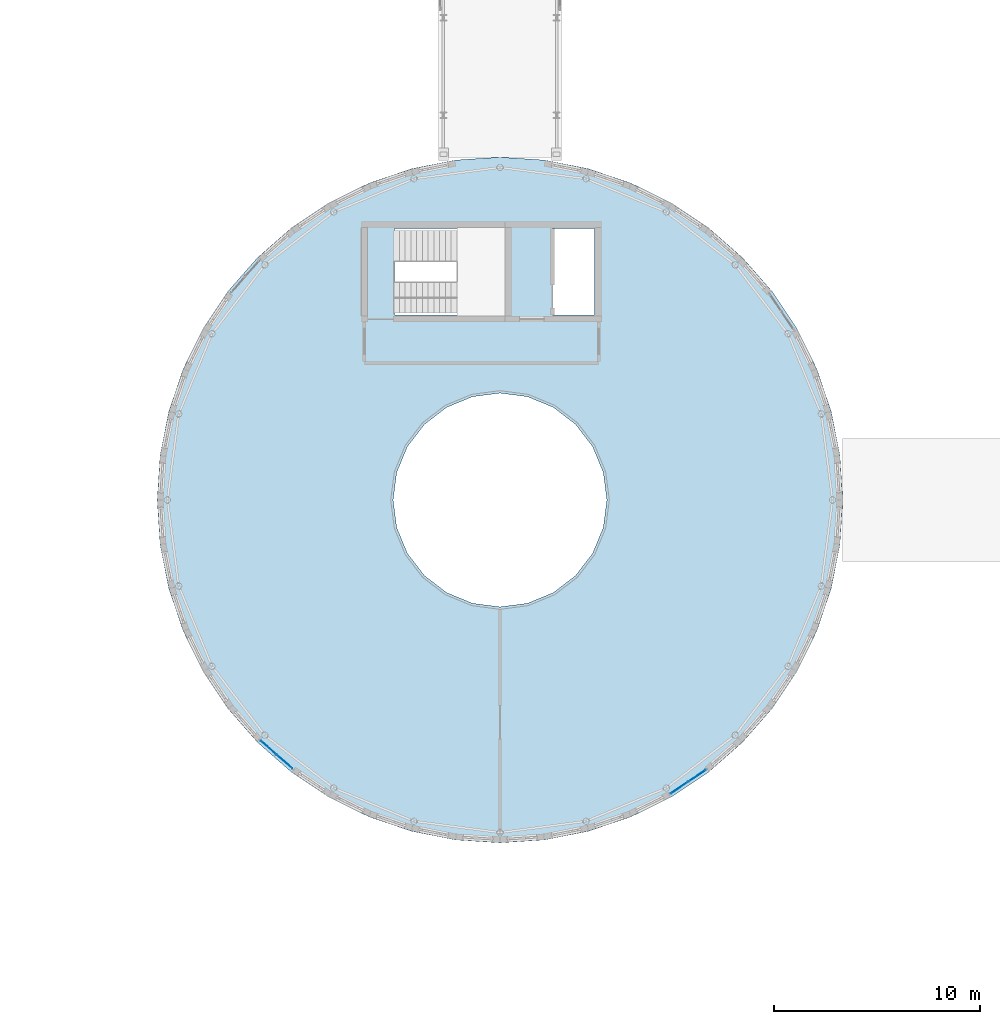
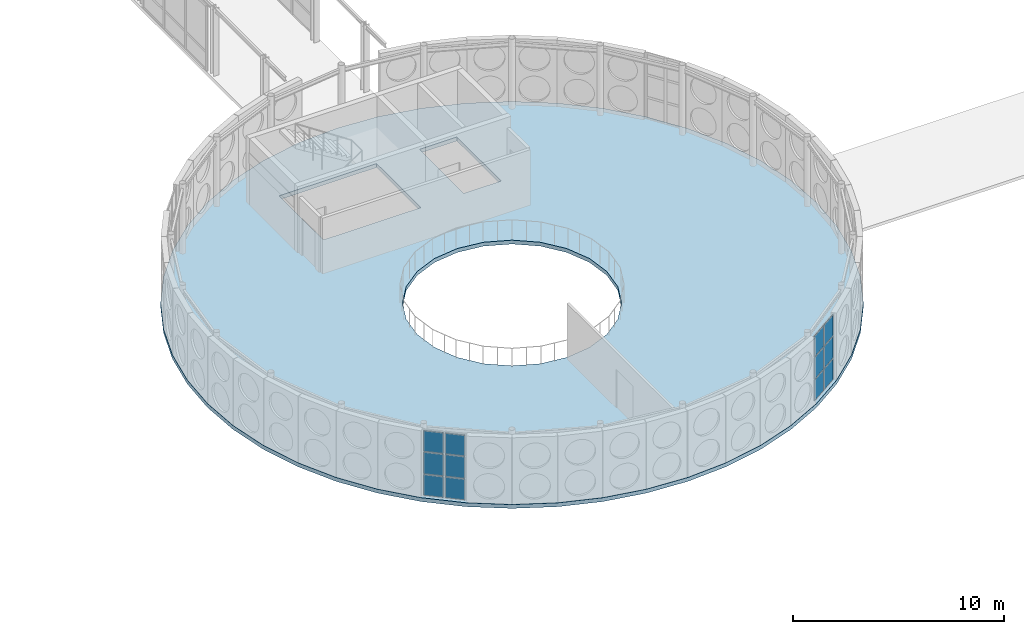
# One storey, part 140 of 189: 12 plates, 1 slab, 2 elements without a shape of their own.
"""IFC4 building model written with IfcOpenShell, lengths in metres."""

from ifc_helpers import new_model, si_unit, direction, frame, origin, origin_2d, place, context, subcontext, project, spatial, polyline, rectangle, outline, extrude, material, layer, layer_set, type_object, element, aggregate, save


model = new_model("IFC4")

# Units and contexts
model_context = context("Model", 3, precision=1e-05, world=origin(), true_north=direction((0.0, 1.0)))
body_context = subcontext(model_context, "Body", "Model", "MODEL_VIEW")
ifc_project = project(units=[si_unit("LENGTHUNIT", "METRE"), si_unit("AREAUNIT", "SQUARE_METRE"), si_unit("VOLUMEUNIT", "CUBIC_METRE"), si_unit("PLANEANGLEUNIT", "RADIAN"), si_unit("MASSUNIT", "GRAM", prefix="KILO")], contexts=[model_context])

# Site, building, storey
site_placement = place(None, origin())
site = spatial("IfcSite", under=ifc_project, at=site_placement, CompositionType="ELEMENT")
building_placement = place(site_placement, origin())
building = spatial("IfcBuilding", under=site, at=building_placement, Name="Montecoro Central Library", CompositionType="ELEMENT")
storey_placement = place(building_placement, frame((0.0, 0.0, 9.179931640625)))
storey = spatial("IfcBuildingStorey", under=building, at=storey_placement, Name="L02", CompositionType="ELEMENT", Elevation=9.179931640625)

# Curtain wall, plates
ifc_material_1 = material(Name="Bronze-anodised aluminium and low-E glazing", Category="aluminium")
ifc_layer_1 = layer(ifc_material_1, 0.159912109375)
ifc_layer_set_1 = layer_set([ifc_layer_1], Name="Bronze-anodised aluminium and low-E glazing")
curtain_wall_type = type_object("IfcCurtainWallType", Name="CWT-004", PredefinedType="NOTDEFINED", material=ifc_layer_set_1)
curtain_wall_1_placement = place(storey_placement, origin())
curtain_wall_1 = element("IfcCurtainWall", 1, at=curtain_wall_1_placement, inside=storey, type_object=curtain_wall_type, Name="V1-L02-CW-31", PredefinedType="NOTDEFINED")
ifc_material_2 = material(Name="Laminated low-E double glazing", Category="glass")
ifc_layer_2 = layer(ifc_material_2, 0.030029296875)
ifc_layer_set_2 = layer_set([ifc_layer_2], Name="Laminated low-E double glazing")
plate_type = type_object("IfcPlateType", Name="CWP-GLZ-02", PredefinedType="CURTAIN_PANEL", material=ifc_layer_set_2)
plate_1_placement = place(storey_placement, frame((80.33935546875, 23.350341796875, 0.06005859375), z_axis=(0.0, 0.0, 1.0), x_axis=(0.751536059457, -0.659692012485, 0.0)))
plate_1 = element("IfcPlate", 2, at=plate_1_placement, type_object=plate_type, Name="CW-004 panel 1.1", PredefinedType="CURTAIN_PANEL", context=body_context, shape_type="SweptSolid", body=[
    extrude(rectangle(XDim=0.982421875, YDim=0.030029296875, at=origin_2d()), origin(), (0.0, 0.0, 1.0), 1.18994140625),
])
plate_2_placement = place(storey_placement, frame((80.33935546875, 23.350341796875, 1.31005859375), z_axis=(0.0, 0.0, 1.0), x_axis=(0.751536059457, -0.659692012485, 0.0)))
plate_2 = element("IfcPlate", 3, at=plate_2_placement, type_object=plate_type, Name="CW-004 panel 1.2", PredefinedType="CURTAIN_PANEL", context=body_context, shape_type="SweptSolid", body=[
    extrude(rectangle(XDim=0.982421875, YDim=0.030029296875, at=origin_2d()), origin(), (0.0, 0.0, 1.0), 1.239990234375),
])
plate_3_placement = place(storey_placement, frame((80.33935546875, 23.350341796875, 2.610107421875), z_axis=(0.0, 0.0, 1.0), x_axis=(0.751536059457, -0.659692012485, 0.0)))
plate_3 = element("IfcPlate", 4, at=plate_3_placement, type_object=plate_type, Name="CW-004 panel 1.3", PredefinedType="CURTAIN_PANEL", context=body_context, shape_type="SweptSolid", body=[
    extrude(rectangle(XDim=0.982421875, YDim=0.030029296875, at=origin_2d()), origin(), (0.0, 0.0, 1.0), 1.18505859375),
])
plate_4_placement = place(storey_placement, frame((81.122802734375, 22.66259765625, 0.06005859375), z_axis=(0.0, 0.0, 1.0), x_axis=(0.751536059457, -0.659692012485, 0.0)))
plate_4 = element("IfcPlate", 5, at=plate_4_placement, type_object=plate_type, Name="CW-004 panel 2.1", PredefinedType="CURTAIN_PANEL", context=body_context, shape_type="SweptSolid", body=[
    extrude(rectangle(XDim=0.982421875, YDim=0.030029296875, at=origin_2d()), origin(), (0.0, 0.0, 1.0), 1.18994140625),
])
plate_5_placement = place(storey_placement, frame((81.122802734375, 22.66259765625, 1.31005859375), z_axis=(0.0, 0.0, 1.0), x_axis=(0.751536059457, -0.659692012485, 0.0)))
plate_5 = element("IfcPlate", 6, at=plate_5_placement, type_object=plate_type, Name="CW-004 panel 2.2", PredefinedType="CURTAIN_PANEL", context=body_context, shape_type="SweptSolid", body=[
    extrude(rectangle(XDim=0.982421875, YDim=0.030029296875, at=origin_2d()), origin(), (0.0, 0.0, 1.0), 1.239990234375),
])
plate_6_placement = place(storey_placement, frame((81.122802734375, 22.66259765625, 2.610107421875), z_axis=(0.0, 0.0, 1.0), x_axis=(0.751536059457, -0.659692012485, 0.0)))
plate_6 = element("IfcPlate", 7, at=plate_6_placement, type_object=plate_type, Name="CW-004 panel 2.3", PredefinedType="CURTAIN_PANEL", context=body_context, shape_type="SweptSolid", body=[
    extrude(rectangle(XDim=0.982421875, YDim=0.030029296875, at=origin_2d()), origin(), (0.0, 0.0, 1.0), 1.18505859375),
])
aggregate(curtain_wall_1, [plate_1, plate_2, plate_3, plate_4, plate_5, plate_6])

curtain_wall_2_placement = place(storey_placement, origin())
curtain_wall_2 = element("IfcCurtainWall", 8, at=curtain_wall_2_placement, inside=storey, type_object=curtain_wall_type, Name="V1-L02-CW-41", PredefinedType="NOTDEFINED")
plate_7_placement = place(storey_placement, frame((100.3251953125, 21.403564453125, 0.06005859375), z_axis=(0.0, 0.0, 1.0), x_axis=(0.831116851291, 0.556097814687, 0.0)))
plate_7 = element("IfcPlate", 9, at=plate_7_placement, type_object=plate_type, Name="CW-004 panel 1.1", PredefinedType="CURTAIN_PANEL", context=body_context, shape_type="SweptSolid", body=[
    extrude(rectangle(XDim=0.982666015625, YDim=0.030029296875, at=origin_2d()), origin(), (0.0, 0.0, 1.0), 1.18994140625),
])
plate_8_placement = place(storey_placement, frame((100.3251953125, 21.403564453125, 1.31005859375), z_axis=(0.0, 0.0, 1.0), x_axis=(0.831116851291, 0.556097814687, 0.0)))
plate_8 = element("IfcPlate", 10, at=plate_8_placement, type_object=plate_type, Name="CW-004 panel 1.2", PredefinedType="CURTAIN_PANEL", context=body_context, shape_type="SweptSolid", body=[
    extrude(rectangle(XDim=0.982666015625, YDim=0.030029296875, at=origin_2d()), origin(), (0.0, 0.0, 1.0), 1.239990234375),
])
plate_9_placement = place(storey_placement, frame((100.3251953125, 21.403564453125, 2.610107421875), z_axis=(0.0, 0.0, 1.0), x_axis=(0.831116851291, 0.556097814687, 0.0)))
plate_9 = element("IfcPlate", 11, at=plate_9_placement, type_object=plate_type, Name="CW-004 panel 1.3", PredefinedType="CURTAIN_PANEL", context=body_context, shape_type="SweptSolid", body=[
    extrude(rectangle(XDim=0.982666015625, YDim=0.030029296875, at=origin_2d()), origin(), (0.0, 0.0, 1.0), 1.18505859375),
])
plate_10_placement = place(storey_placement, frame((101.19189453125, 21.9833984375, 0.06005859375), z_axis=(0.0, 0.0, 1.0), x_axis=(0.831116851291, 0.556097814687, 0.0)))
plate_10 = element("IfcPlate", 12, at=plate_10_placement, type_object=plate_type, Name="CW-004 panel 2.1", PredefinedType="CURTAIN_PANEL", context=body_context, shape_type="SweptSolid", body=[
    extrude(rectangle(XDim=0.982666015625, YDim=0.030029296875, at=origin_2d()), origin(), (0.0, 0.0, 1.0), 1.18994140625),
])
plate_11_placement = place(storey_placement, frame((101.19189453125, 21.9833984375, 1.31005859375), z_axis=(0.0, 0.0, 1.0), x_axis=(0.831116851291, 0.556097814687, 0.0)))
plate_11 = element("IfcPlate", 13, at=plate_11_placement, type_object=plate_type, Name="CW-004 panel 2.2", PredefinedType="CURTAIN_PANEL", context=body_context, shape_type="SweptSolid", body=[
    extrude(rectangle(XDim=0.982666015625, YDim=0.030029296875, at=origin_2d()), origin(), (0.0, 0.0, 1.0), 1.239990234375),
])
plate_12_placement = place(storey_placement, frame((101.19189453125, 21.9833984375, 2.610107421875), z_axis=(0.0, 0.0, 1.0), x_axis=(0.831116851291, 0.556097814687, 0.0)))
plate_12 = element("IfcPlate", 14, at=plate_12_placement, type_object=plate_type, Name="CW-004 panel 2.3", PredefinedType="CURTAIN_PANEL", context=body_context, shape_type="SweptSolid", body=[
    extrude(rectangle(XDim=0.982666015625, YDim=0.030029296875, at=origin_2d()), origin(), (0.0, 0.0, 1.0), 1.18505859375),
])
aggregate(curtain_wall_2, [plate_7, plate_8, plate_9, plate_10, plate_11, plate_12])

# Slab
ifc_material_3 = material(Name="Concrete C32/40", Category="concrete")
ifc_layer_3 = layer(ifc_material_3, 0.22509765625)
ifc_layer_set_3 = layer_set([ifc_layer_3], Name="Concrete C32/40")
slab_type = type_object("IfcSlabType", Name="SL-FLR-225", PredefinedType="FLOOR", material=ifc_layer_set_3)
slab_placement = place(storey_placement, frame((0.0, 0.0, -0.224853515625)))
element("IfcSlab", 15, at=slab_placement, inside=storey, type_object=slab_type, Name="V1-L02-SLAB", PredefinedType="FLOOR", context=body_context, shape_type="SweptSolid", body=[
    extrude(outline(polyline([(108.280029296875, 35.39990234375), (108.136962890625, 37.576904296875), (107.7119140625, 39.717041015625), (107.010009765625, 41.782958984375), (106.044921875, 43.739990234375), (104.8330078125, 45.553955078125), (103.39501953125, 47.195068359375), (101.75390625, 48.633056640625), (99.93994140625, 49.844970703125), (97.98291015625, 50.81005859375), (95.9169921875, 51.511962890625), (93.777099609375, 51.93701171875), (91.60009765625, 52.080078125), (89.423095703125, 51.93701171875), (87.282958984375, 51.511962890625), (85.217041015625, 50.81005859375), (83.260009765625, 49.844970703125), (81.446044921875, 48.633056640625), (79.804931640625, 47.195068359375), (78.366943359375, 45.553955078125), (77.155029296875, 43.739990234375), (76.18994140625, 41.782958984375), (75.488037109375, 39.717041015625), (75.06298828125, 37.576904296875), (74.919921875, 35.39990234375), (75.06298828125, 33.222900390625), (75.488037109375, 31.0830078125), (76.18994140625, 29.01708984375), (77.155029296875, 27.06005859375), (78.366943359375, 25.24609375), (79.804931640625, 23.60498046875), (81.446044921875, 22.1669921875), (83.260009765625, 20.955078125), (85.217041015625, 19.989990234375), (87.282958984375, 19.2880859375), (89.423095703125, 18.863037109375), (91.60009765625, 18.719970703125), (93.777099609375, 18.863037109375), (95.9169921875, 19.2880859375), (97.98291015625, 19.989990234375), (99.93994140625, 20.955078125), (101.75390625, 22.1669921875), (103.39501953125, 23.60498046875), (104.8330078125, 25.24609375), (106.044921875, 27.06005859375), (107.010009765625, 29.01708984375), (107.7119140625, 31.0830078125), (108.136962890625, 33.222900390625), (108.280029296875, 35.39990234375)]), holes=[polyline([(86.4599609375, 48.60009765625), (91.800048828125, 48.60009765625), (91.800048828125, 44.39990234375), (86.4599609375, 44.39990234375), (86.4599609375, 48.60009765625)]), polyline([(94.14990234375, 48.60009765625), (96.199951171875, 48.60009765625), (96.199951171875, 44.39990234375), (94.14990234375, 44.39990234375), (94.14990234375, 48.60009765625)]), polyline([(96.623046875, 34.053955078125), (96.10302734375, 32.800048828125), (95.277099609375, 31.722900390625), (94.199951171875, 30.89697265625), (92.946044921875, 30.376953125), (91.60009765625, 30.199951171875), (90.25390625, 30.376953125), (89.0, 30.89697265625), (87.923095703125, 31.722900390625), (87.096923828125, 32.800048828125), (86.576904296875, 34.053955078125), (86.39990234375, 35.39990234375), (86.576904296875, 36.74609375), (87.096923828125, 38.0), (87.923095703125, 39.076904296875), (89.0, 39.903076171875), (90.25390625, 40.423095703125), (91.60009765625, 40.60009765625), (92.946044921875, 40.423095703125), (94.199951171875, 39.903076171875), (95.277099609375, 39.076904296875), (96.10302734375, 38.0), (96.623046875, 36.74609375), (96.800048828125, 35.39990234375), (96.623046875, 34.053955078125)])]), origin(), (0.0, 0.0, 1.0), 0.224853515625),
])

save(model, "model.ifc")
